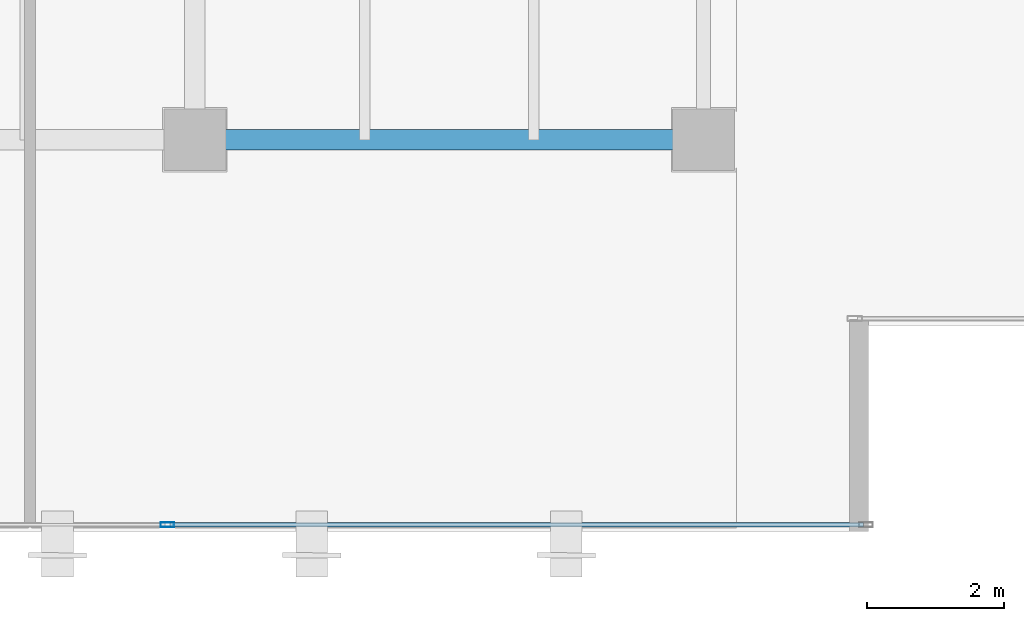
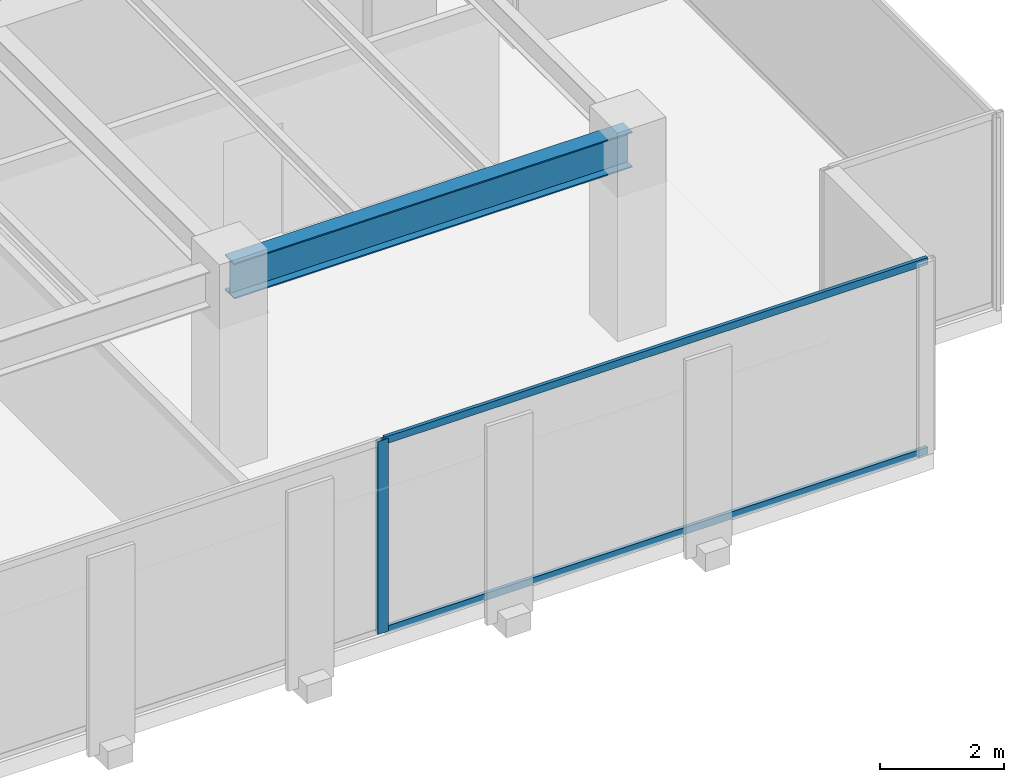
# One storey, part 12 of 34: 3 members, 1 beam, 1 element without a shape of its own.
"""IFC4 building model written with IfcOpenShell, lengths in metres."""

from ifc_helpers import new_model, si_unit, direction, frame, origin, origin_2d, place, context, subcontext, project, spatial, hollow_rectangle, i_section, extrude, source, transform, mapped, material, layer, layer_set, material_profile, profile_set, type_object, type_shapes, element, aggregate, save


model = new_model("IFC4")

# Units and contexts
model_context = context("Model", 3, precision=1e-05, world=origin(), true_north=direction((0.0, 1.0)))
body_context = subcontext(model_context, "Body", "Model", "MODEL_VIEW")
ifc_project = project(units=[si_unit("LENGTHUNIT", "METRE"), si_unit("AREAUNIT", "SQUARE_METRE"), si_unit("VOLUMEUNIT", "CUBIC_METRE"), si_unit("PLANEANGLEUNIT", "RADIAN"), si_unit("MASSUNIT", "GRAM", prefix="KILO")], contexts=[model_context])

# Site, building, storey
site_placement = place(None, origin())
site = spatial("IfcSite", under=ifc_project, at=site_placement, CompositionType="ELEMENT")
building_placement = place(site_placement, origin())
building = spatial("IfcBuilding", under=site, at=building_placement, Name="Haelvirn Gate Laboratories", CompositionType="ELEMENT")
storey_placement = place(building_placement, frame((0.0, 0.0, 158.39990234375)))
storey = spatial("IfcBuildingStorey", under=building, at=storey_placement, Name="L38", CompositionType="ELEMENT", Elevation=158.39990234375)

# Beam
ifc_material_1 = material(Name="Steel SM355", Category="steel")
ifc_material_profile_1 = material_profile(ifc_material_1, i_section(OverallWidth=0.300048828125, OverallDepth=0.699951171875, WebThickness=0.012939453125, FlangeThickness=0.02392578125, at=origin_2d()), Name="H-700x300x13x24")
ifc_profile_set_1 = profile_set([ifc_material_profile_1], Name="Steel SM355")
beam_type = type_object("IfcBeamType", Name="BM-G-700", PredefinedType="BEAM", material=ifc_profile_set_1)
shared_shape_1 = source(origin(), body_context, "Body", "SweptSolid", [
    extrude(i_section(OverallWidth=0.300048828125, OverallDepth=0.699951171875, WebThickness=0.012939453125, FlangeThickness=0.02392578125, at=origin_2d()), origin(), (0.0, 0.0, 1.0), 7.39990234375),
])
type_shapes(beam_type, [shared_shape_1])
beam_placement = place(storey_placement, frame((60.0, 7.0, 3.440185546875), z_axis=(1.0, 0.0, 0.0), x_axis=(0.0, 1.0, 0.0)))
element("IfcBeam", 1, at=beam_placement, inside=storey, type_object=beam_type, Name="L38 Primary Girder Y7.0 (60.0-67.4)", PredefinedType="BEAM", context=body_context, shape_type="MappedRepresentation", body=[
    mapped(shared_shape_1, transform((0.0, 0.0, 0.0), scale=1.0)),
])

# Curtain wall, members
ifc_material_2 = material(Name="Anodised bronze unitised aluminium & triple low-E glass", Category="aluminium")
ifc_layer = layer(ifc_material_2, 0.179931640625, Name="CW-SYS-3")
ifc_layer_set = layer_set([ifc_layer], Name="Anodised bronze unitised aluminium & triple low-E glass")
curtain_wall_type = type_object("IfcCurtainWallType", Name="CW-SYS-3", PredefinedType="NOTDEFINED", material=ifc_layer_set)
curtain_wall_placement = place(storey_placement, origin())
curtain_wall = element("IfcCurtainWall", 2, at=curtain_wall_placement, inside=storey, type_object=curtain_wall_type, Name="L38 Unitised Curtain Wall CW-L38-P0-E04-1", PredefinedType="NOTDEFINED")
ifc_material_3 = material(Name="Extruded aluminium 6063-T6 (anodised bronze)", Category="aluminium")
ifc_material_profile_2 = material_profile(ifc_material_3, hollow_rectangle(XDim=0.06494140625, YDim=0.139892578125, WallThickness=0.00390625, at=origin_2d()), Name="CWT-140x65x4")
ifc_profile_set_2 = profile_set([ifc_material_profile_2], Name="Extruded aluminium 6063-T6 (anodised bronze)")
member_type_1 = type_object("IfcMemberType", Name="CWT-T140", PredefinedType="USERDEFINED", material=ifc_profile_set_2)
shared_shape_2 = source(origin(), body_context, "Body", "SweptSolid", [
    extrude(hollow_rectangle(XDim=0.06494140625, YDim=0.139892578125, WallThickness=0.00390625, at=origin_2d()), origin(), (0.0, 0.0, 1.0), 10.087646484375),
])
type_shapes(member_type_1, [shared_shape_2])
member_1_placement = place(storey_placement, frame((59.637451171875, 1.39990234375, 0.03271484375), z_axis=(1.0, 0.0, 0.0), x_axis=(0.0, 1.0, 0.0)))
member_1 = element("IfcMember", 3, at=member_1_placement, type_object=member_type_1, Name="CW3 transom 2.1", ObjectType="TRANSOM", PredefinedType="USERDEFINED", context=body_context, shape_type="MappedRepresentation", body=[
    mapped(shared_shape_2, transform((0.0, 0.0, 0.0), scale=1.0)),
])
member_2_placement = place(storey_placement, frame((59.637451171875, 1.39990234375, 3.757568359375), z_axis=(1.0, 0.0, 0.0), x_axis=(0.0, 1.0, 0.0)))
member_2 = element("IfcMember", 4, at=member_2_placement, type_object=member_type_1, Name="CW3 transom 2.2", ObjectType="TRANSOM", PredefinedType="USERDEFINED", context=body_context, shape_type="MappedRepresentation", body=[
    mapped(shared_shape_2, transform((0.0, 0.0, 0.0), scale=1.0)),
])
ifc_material_profile_3 = material_profile(ifc_material_3, hollow_rectangle(XDim=0.074951171875, YDim=0.199951171875, WallThickness=0.0048828125, at=origin_2d()), Name="CWM-200x75x5")
ifc_profile_set_3 = profile_set([ifc_material_profile_3], Name="Extruded aluminium 6063-T6 (anodised bronze)")
member_type_2 = type_object("IfcMemberType", Name="CWM-T200", PredefinedType="MULLION", material=ifc_profile_set_3)
shared_shape_3 = source(origin(), body_context, "Body", "SweptSolid", [
    extrude(hollow_rectangle(XDim=0.074951171875, YDim=0.199951171875, WallThickness=0.0048828125, at=origin_2d()), origin(), (0.0, 0.0, 1.0), 3.7900390625),
])
type_shapes(member_type_2, [shared_shape_3])
member_3_placement = place(storey_placement, frame((59.60009765625, 1.39990234375, 0.0), z_axis=(0.0, 0.0, 1.0), x_axis=(0.0, 1.0, 0.0)))
member_3 = element("IfcMember", 5, at=member_3_placement, type_object=member_type_2, Name="CW3 mullion 2", PredefinedType="MULLION", context=body_context, shape_type="MappedRepresentation", body=[
    mapped(shared_shape_3, transform((0.0, 0.0, 0.0), scale=1.0)),
])
aggregate(curtain_wall, [member_3, member_1, member_2])

save(model, "model.ifc")
